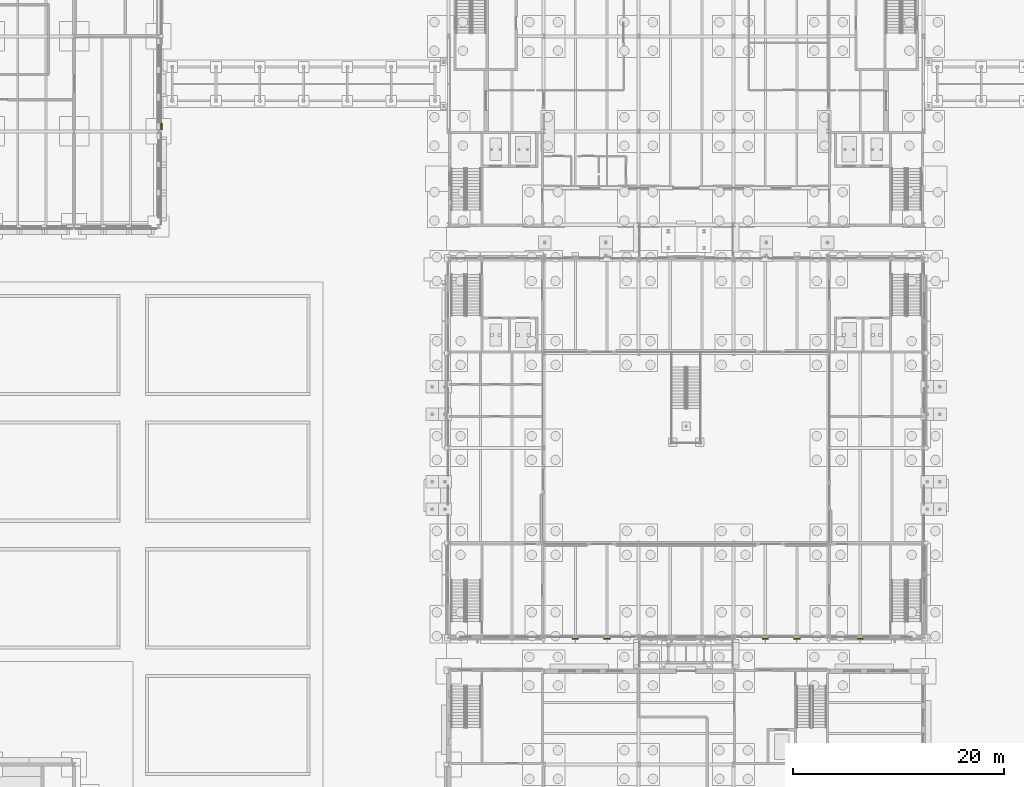
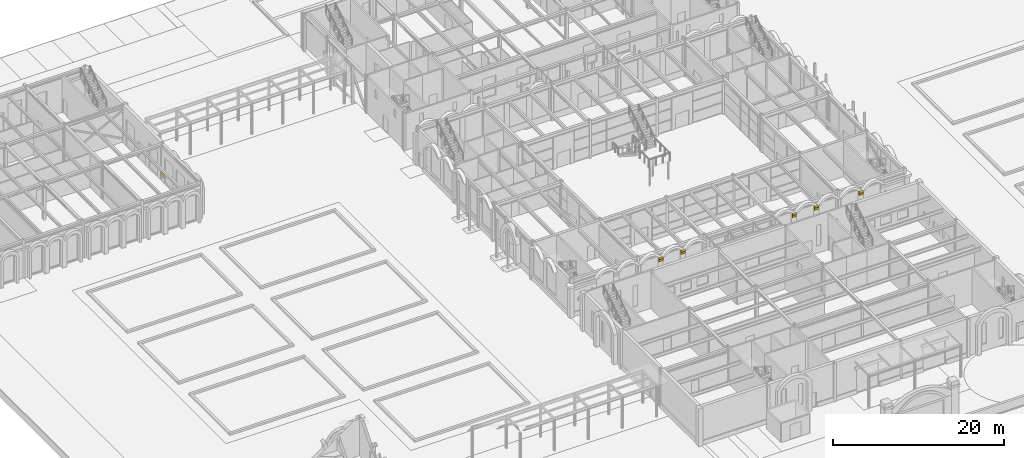
# One storey, part 122 of 126: 11 coverings.
"""IFC4 building model written with IfcOpenShell, lengths in metres."""

from ifc_helpers import new_model, si_unit, direction, frame, origin, origin_2d, place, context, subcontext, project, spatial, rectangle, extrude, material, layer, layer_set, type_object, element, save


model = new_model("IFC4")

# Units and contexts
model_context = context("Model", 3, precision=1e-05, world=origin(), true_north=direction((0.0, 1.0)))
body_context = subcontext(model_context, "Body", "Model", "MODEL_VIEW")
ifc_project = project(units=[si_unit("LENGTHUNIT", "METRE"), si_unit("AREAUNIT", "SQUARE_METRE"), si_unit("VOLUMEUNIT", "CUBIC_METRE"), si_unit("PLANEANGLEUNIT", "RADIAN"), si_unit("MASSUNIT", "GRAM", prefix="KILO")], contexts=[model_context])

# Site, building, storey
site_placement = place(None, origin())
site = spatial("IfcSite", under=ifc_project, at=site_placement, CompositionType="ELEMENT")
building_placement = place(site_placement, origin())
building = spatial("IfcBuilding", under=site, at=building_placement, Name="Kallimachos Central Library", CompositionType="ELEMENT")
storey_placement = place(building_placement, origin())
storey = spatial("IfcBuildingStorey", under=building, at=storey_placement, Name="L00", CompositionType="ELEMENT", Elevation=0.0)

# Coverings
ifc_material_1 = material(Name="Glazed ceramic frieze, green")
ifc_layer_1 = layer(ifc_material_1, 0.10009765625)
ifc_layer_set_1 = layer_set([ifc_layer_1], Name="Glazed ceramic frieze, green")
covering_type_1 = type_object("IfcCoveringType", Name="Glazed ceramic frieze, green", PredefinedType="CLADDING", material=ifc_layer_set_1)
for number, where, z_axis, x_axis, name in (
    (1, (77.5, 47.929931640625, 4.02978515625), (0.0, 0.0, 1.0), (1.0, 0.0, 0.0), "Glazed ceramic frieze, green -L00-016"),
    (2, (80.5, 47.929931640625, 4.02978515625), (0.0, 0.0, 1.0), (1.0, 0.0, 0.0), "Glazed ceramic frieze, green -L00-016"),
    (3, (95.5, 47.929931640625, 4.02978515625), (0.0, 0.0, 1.0), (1.0, 0.0, 0.0), "Glazed ceramic frieze, green -L00-018"),
    (4, (98.5, 47.929931640625, 4.02978515625), (0.0, 0.0, 1.0), (1.0, 0.0, 0.0), "Glazed ceramic frieze, green -L00-018"),
    (5, (104.5, 47.929931640625, 4.02978515625), (0.0, 0.0, 1.0), (1.0, 0.0, 0.0), "Glazed ceramic frieze, green -L00-019"),
):
    element("IfcCovering", number, at=place(storey_placement, frame(where, z_axis=z_axis, x_axis=x_axis)), inside=storey, type_object=covering_type_1, Name=name, PredefinedType="CLADDING", context=body_context, shape_type="SweptSolid", body=[
        extrude(rectangle(XDim=0.60009765625, YDim=0.10009765625, at=origin_2d()), origin(), (0.0, 0.0, 1.0), 0.300048828125),
    ])
ifc_material_2 = material(Name="Glazed ceramic frieze, ochre")
ifc_layer_2 = layer(ifc_material_2, 0.10009765625)
ifc_layer_set_2 = layer_set([ifc_layer_2], Name="Glazed ceramic frieze, ochre")
covering_type_2 = type_object("IfcCoveringType", Name="Glazed ceramic frieze, ochre", PredefinedType="CLADDING", material=ifc_layer_set_2)
for number, where, z_axis, x_axis, name in (
    (6, (77.5, 47.929931640625, 3.72998046875), (0.0, 0.0, 1.0), (1.0, 0.0, 0.0), "Glazed ceramic frieze, ochre -L00-016"),
    (7, (80.5, 47.929931640625, 3.72998046875), (0.0, 0.0, 1.0), (1.0, 0.0, 0.0), "Glazed ceramic frieze, ochre -L00-016"),
    (8, (95.5, 47.929931640625, 3.72998046875), (0.0, 0.0, 1.0), (1.0, 0.0, 0.0), "Glazed ceramic frieze, ochre -L00-018"),
    (9, (98.5, 47.929931640625, 3.72998046875), (0.0, 0.0, 1.0), (1.0, 0.0, 0.0), "Glazed ceramic frieze, ochre -L00-018"),
    (10, (104.5, 47.929931640625, 3.72998046875), (0.0, 0.0, 1.0), (1.0, 0.0, 0.0), "Glazed ceramic frieze, ochre -L00-019"),
):
    element("IfcCovering", number, at=place(storey_placement, frame(where, z_axis=z_axis, x_axis=x_axis)), inside=storey, type_object=covering_type_2, Name=name, PredefinedType="CLADDING", context=body_context, shape_type="SweptSolid", body=[
        extrude(rectangle(XDim=0.60009765625, YDim=0.10009765625, at=origin_2d()), origin(), (0.0, 0.0, 1.0), 0.300048828125),
    ])
ifc_material_3 = material(Name="Pentelic marble plinth course", Category="masonry")
ifc_layer_3 = layer(ifc_material_3, 0.14990234375)
ifc_layer_set_3 = layer_set([ifc_layer_3], Name="Stone plinth course 600")
covering_type_3 = type_object("IfcCoveringType", Name="Stone plinth course 600", PredefinedType="CLADDING", material=ifc_layer_set_3)
covering_placement = place(storey_placement, frame((38.27490234375, 96.46240234375, 0.0), z_axis=(0.0, 0.0, 1.0), x_axis=(1.0, 0.0, 0.0)))
element("IfcCovering", 11, at=covering_placement, inside=storey, type_object=covering_type_3, Name="Stone plinth course 600 -L00-017", PredefinedType="CLADDING", context=body_context, shape_type="SweptSolid", body=[
    extrude(rectangle(XDim=0.14990234375, YDim=0.625, at=origin_2d()), origin(), (0.0, 0.0, 1.0), 0.60009765625),
])

save(model, "model.ifc")
